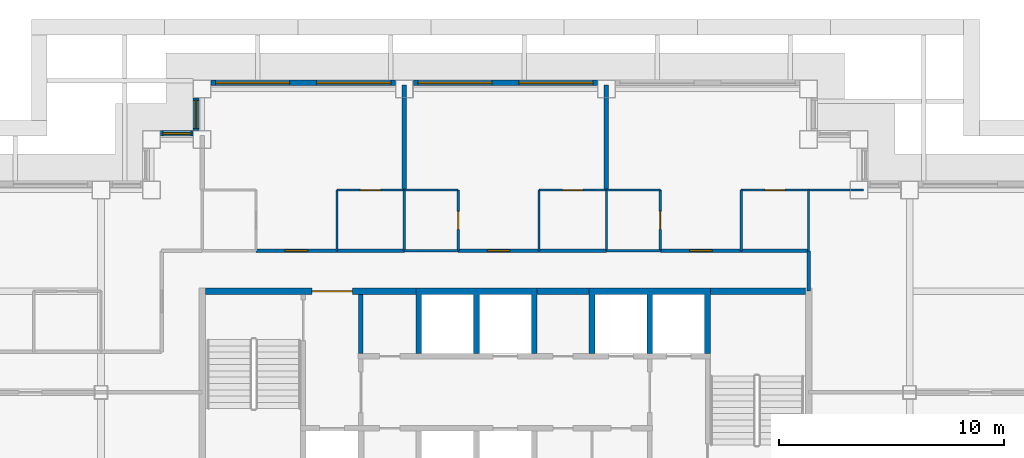
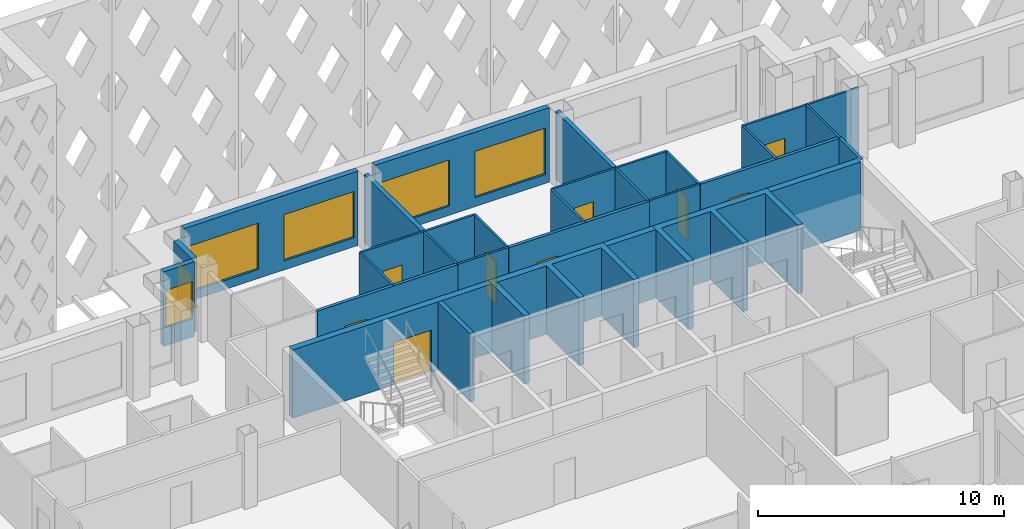
# One storey, part 8 of 19: 31 walls, 9 doors, 6 windows, 15 openings.
"""IFC4 building model written with IfcOpenShell, lengths in metres."""

from ifc_helpers import new_model, si_unit, direction, frame, frame_2d, origin, place, context, subcontext, project, spatial, polyline, rectangle, outline, extrude, material, layer, layer_set, type_object, element, fill, save


model = new_model("IFC4")

# Units and contexts
model_context = context("Model", 3, precision=1e-05, world=origin(), true_north=direction((0.0, 1.0)))
body_context = subcontext(model_context, "Body", "Model", "MODEL_VIEW")
ifc_project = project(units=[si_unit("LENGTHUNIT", "METRE"), si_unit("AREAUNIT", "SQUARE_METRE"), si_unit("VOLUMEUNIT", "CUBIC_METRE"), si_unit("PLANEANGLEUNIT", "RADIAN"), si_unit("MASSUNIT", "GRAM", prefix="KILO")], contexts=[model_context])

# Site, building, storey
site_placement = place(None, origin())
site = spatial("IfcSite", under=ifc_project, at=site_placement, CompositionType="ELEMENT")
building_placement = place(site_placement, origin())
building = spatial("IfcBuilding", under=site, at=building_placement, Name="Caravel Reach Hotel and Residences", CompositionType="ELEMENT")
storey_placement = place(building_placement, frame((0.0, 0.0, 150.60009765625)))
storey = spatial("IfcBuildingStorey", under=building, at=storey_placement, Name="L37", CompositionType="ELEMENT", Elevation=150.60009765625)

# Walls
ifc_material_1 = material(Name="Gypsum board on steel stud", Category="steel")
ifc_layer_1 = layer(ifc_material_1, 0.10009765625)
ifc_layer_set_1 = layer_set([ifc_layer_1], Name="Bathroom pod wall 100 mm")
wall_type_1 = type_object("IfcWallType", Name="Bathroom pod wall 100 mm", PredefinedType="PARTITIONING", material=ifc_layer_set_1)
for number, where, z_axis, x_axis, name in (
    (1, (27.0, 33.300048828125, 0.0), (0.0, 0.0, 1.0), (1.0, 0.0, 0.0), "L37 wall w090"),
    (2, (36.0, 33.300048828125, 0.0), (0.0, 0.0, 1.0), (1.0, 0.0, 0.0), "L37 wall w091"),
    (3, (27.0, 36.0, 0.0), (0.0, 0.0, 1.0), (1.0, 0.0, 0.0), "L37 wall w093"),
    (4, (36.0, 36.0, 0.0), (0.0, 0.0, 1.0), (1.0, 0.0, 0.0), "L37 wall w094"),
):
    element("IfcWall", number, at=place(storey_placement, frame(where, z_axis=z_axis, x_axis=x_axis)), inside=storey, type_object=wall_type_1, Name=name, PredefinedType="PARTITIONING", context=body_context, shape_type="SweptSolid", body=[
        extrude(rectangle(XDim=2.39990234375, YDim=0.10009765625, at=frame_2d((1.199951171875, 0.0))), origin(), (0.0, 0.0, 1.0), 3.39990234375),
    ])
wall_1_placement = place(storey_placement, frame((27.0, 33.300048828125, 0.0), z_axis=(0.0, 0.0, 1.0), x_axis=(0.0, 1.0, 0.0)))
element("IfcWall", 5, at=wall_1_placement, inside=storey, type_object=wall_type_1, Name="L37 wall w100", PredefinedType="PARTITIONING", context=body_context, shape_type="SweptSolid", body=[
    extrude(rectangle(XDim=2.699951171875, YDim=0.10009765625, at=frame_2d((1.35009765625, 0.0))), origin(), (0.0, 0.0, 1.0), 3.39990234375),
])

# Wall, opening, door
wall_2_placement = place(storey_placement, frame((29.39990234375, 33.300048828125, 0.0), z_axis=(0.0, 0.0, 1.0), x_axis=(0.0, 1.0, 0.0)))
wall_2 = element("IfcWall", 6, at=wall_2_placement, inside=storey, type_object=wall_type_1, Name="L37 wall w102", PredefinedType="PARTITIONING", context=body_context, shape_type="SweptSolid", body=[
    extrude(rectangle(XDim=2.699951171875, YDim=0.10009765625, at=frame_2d((1.35009765625, 0.0))), origin(), (0.0, 0.0, 1.0), 3.39990234375),
])
opening_1_placement = place(wall_2_placement, frame((0.949951171875, 0.0, 0.0)))
opening_1 = element("IfcOpeningElement", 7, at=opening_1_placement, cuts=wall_2, Name="Opening D37-021", PredefinedType="OPENING", context=body_context, shape_type="SweptSolid", body=[
    extrude(rectangle(XDim=0.800048828125, YDim=2.10009765625, at=frame_2d((0.39990234375, 1.050048828125))), frame((0.0, 0.06005859375, 0.0), z_axis=(0.0, -1.0, 0.0), x_axis=(1.0, 0.0, 0.0)), (0.0, 0.0, 1.0), 0.1201171875),
])
ifc_material_2 = material(Name="Timber and steel door leaf", Category="steel")
door_type_1 = type_object("IfcDoorType", Name="Bathroom door 800 x 2100", OperationType="SINGLE_SWING_LEFT", PredefinedType="DOOR", material=ifc_material_2)
door_1_placement = place(opening_1_placement, origin())
door_1 = element("IfcDoor", 8, at=door_1_placement, inside=storey, type_object=door_type_1, Name="door D37-021", OperationType="SINGLE_SWING_RIGHT", OverallHeight=2.10009765625, OverallWidth=0.800048828125, PredefinedType="DOOR", context=body_context, shape_type="SweptSolid", body=[
    extrude(rectangle(XDim=0.800048828125, YDim=2.10009765625, at=frame_2d((0.39990234375, 1.050048828125))), frame((0.0, 0.02490234375, 0.0), z_axis=(0.0, -1.0, 0.0), x_axis=(1.0, 0.0, 0.0)), (0.0, 0.0, 1.0), 0.050048828125),
])
fill(opening_1, door_1)

# Wall
wall_3_placement = place(storey_placement, frame((36.0, 33.300048828125, 0.0), z_axis=(0.0, 0.0, 1.0), x_axis=(0.0, 1.0, 0.0)))
element("IfcWall", 9, at=wall_3_placement, inside=storey, type_object=wall_type_1, Name="L37 wall w105", PredefinedType="PARTITIONING", context=body_context, shape_type="SweptSolid", body=[
    extrude(rectangle(XDim=2.699951171875, YDim=0.10009765625, at=frame_2d((1.35009765625, 0.0))), origin(), (0.0, 0.0, 1.0), 3.39990234375),
])

# Wall, opening, door
wall_4_placement = place(storey_placement, frame((38.39990234375, 33.300048828125, 0.0), z_axis=(0.0, 0.0, 1.0), x_axis=(0.0, 1.0, 0.0)))
wall_4 = element("IfcWall", 10, at=wall_4_placement, inside=storey, type_object=wall_type_1, Name="L37 wall w108", PredefinedType="PARTITIONING", context=body_context, shape_type="SweptSolid", body=[
    extrude(rectangle(XDim=2.699951171875, YDim=0.10009765625, at=frame_2d((1.35009765625, 0.0))), origin(), (0.0, 0.0, 1.0), 3.39990234375),
])
opening_2_placement = place(wall_4_placement, frame((0.949951171875, 0.0, 0.0)))
opening_2 = element("IfcOpeningElement", 11, at=opening_2_placement, cuts=wall_4, Name="Opening D37-024", PredefinedType="OPENING", context=body_context, shape_type="SweptSolid", body=[
    extrude(rectangle(XDim=0.800048828125, YDim=2.10009765625, at=frame_2d((0.39990234375, 1.050048828125))), frame((0.0, 0.06005859375, 0.0), z_axis=(0.0, -1.0, 0.0), x_axis=(1.0, 0.0, 0.0)), (0.0, 0.0, 1.0), 0.1201171875),
])
door_2_placement = place(opening_2_placement, origin())
door_2 = element("IfcDoor", 12, at=door_2_placement, inside=storey, type_object=door_type_1, Name="door D37-024", OperationType="SINGLE_SWING_RIGHT", OverallHeight=2.10009765625, OverallWidth=0.800048828125, PredefinedType="DOOR", context=body_context, shape_type="SweptSolid", body=[
    extrude(rectangle(XDim=0.800048828125, YDim=2.10009765625, at=frame_2d((0.39990234375, 1.050048828125))), frame((0.0, 0.02490234375, 0.0), z_axis=(0.0, -1.0, 0.0), x_axis=(1.0, 0.0, 0.0)), (0.0, 0.0, 1.0), 0.050048828125),
])
fill(opening_2, door_2)

# Wall
ifc_material_3 = material(Name="Autoclaved aerated block wall")
ifc_layer_2 = layer(ifc_material_3, 0.199951171875)
ifc_layer_set_2 = layer_set([ifc_layer_2], Name="Compartment wall 200 mm EI 120")
wall_type_2 = type_object("IfcWallType", Name="Compartment wall 200 mm EI 120", PredefinedType="PARTITIONING", material=ifc_layer_set_2)
wall_5_placement = place(storey_placement, frame((25.071533203125, 28.72509765625, 0.0), z_axis=(0.0, 0.0, 1.0), x_axis=(0.0, 1.0, 0.0)))
element("IfcWall", 13, at=wall_5_placement, inside=storey, type_object=wall_type_2, Name="L37 store partition", PredefinedType="PARTITIONING", context=body_context, shape_type="SweptSolid", body=[
    extrude(rectangle(XDim=2.625, YDim=0.199951171875, at=frame_2d((1.3125, 0.0))), origin(), (0.0, 0.0, 1.0), 3.39990234375),
])

# Wall, opening, door
ifc_material_4 = material(Name="Concrete C60", Category="concrete")
ifc_layer_3 = layer(ifc_material_4, 0.300048828125)
ifc_layer_set_3 = layer_set([ifc_layer_3], Name="Core wall 300 mm EI 120")
wall_type_3 = type_object("IfcWallType", Name="Core wall 300 mm EI 120", PredefinedType="SHEAR", material=ifc_layer_set_3)
wall_6_placement = place(storey_placement, frame((18.14990234375, 31.5, 0.0), z_axis=(0.0, 0.0, 1.0), x_axis=(1.0, 0.0, 0.0)))
wall_6 = element("IfcWall", 14, at=wall_6_placement, inside=storey, type_object=wall_type_3, Name="L37 core wall N1", PredefinedType="SHEAR", context=body_context, shape_type="SweptSolid", body=[
    extrude(rectangle(XDim=9.367919921875, YDim=0.300048828125, at=frame_2d((4.68408203125, 0.0))), origin(), (0.0, 0.0, 1.0), 3.39990234375),
])
opening_3_placement = place(wall_6_placement, frame((4.735595703125, 0.0, 0.0)))
opening_3 = element("IfcOpeningElement", 15, at=opening_3_placement, cuts=wall_6, Name="Opening D37-015", PredefinedType="OPENING", context=body_context, shape_type="SweptSolid", body=[
    extrude(rectangle(XDim=1.800048828125, YDim=2.10009765625, at=frame_2d((0.89990234375, 1.050048828125))), frame((0.0, 0.159912109375, 0.0), z_axis=(0.0, -1.0, 0.0), x_axis=(1.0, 0.0, 0.0)), (0.0, 0.0, 1.0), 0.320068359375),
])
ifc_material_5 = material(Name="Steel fire door leaf", Category="steel")
door_type_2 = type_object("IfcDoorType", Name="Fire lobby door pair 1800 x 2100 EI 90", OperationType="DOUBLE_DOOR_SINGLE_SWING", PredefinedType="DOOR", material=ifc_material_5)
door_3_placement = place(opening_3_placement, origin())
door_3 = element("IfcDoor", 16, at=door_3_placement, inside=storey, type_object=door_type_2, Name="lobby N door pair to corridor", OperationType="DOUBLE_DOOR_SINGLE_SWING", OverallHeight=2.10009765625, OverallWidth=1.800048828125, PredefinedType="DOOR", context=body_context, shape_type="SweptSolid", body=[
    extrude(rectangle(XDim=1.800048828125, YDim=2.10009765625, at=frame_2d((0.89990234375, 1.050048828125))), frame((0.0, 0.02490234375, 0.0), z_axis=(0.0, -1.0, 0.0), x_axis=(1.0, 0.0, 0.0)), (0.0, 0.0, 1.0), 0.050048828125),
])
fill(opening_3, door_3)

# Walls
wall_7_placement = place(storey_placement, frame((32.91064453125, 31.5, 0.0), z_axis=(0.0, 0.0, 1.0), x_axis=(1.0, 0.0, 0.0)))
element("IfcWall", 17, at=wall_7_placement, inside=storey, type_object=wall_type_3, Name="L37 core wall N2", PredefinedType="SHEAR", context=body_context, shape_type="SweptSolid", body=[
    extrude(rectangle(XDim=2.321533203125, YDim=0.300048828125, at=frame_2d((1.16064453125, 0.0))), origin(), (0.0, 0.0, 1.0), 3.39990234375),
])
wall_8_placement = place(storey_placement, frame((40.625, 31.5, 0.0), z_axis=(0.0, 0.0, 1.0), x_axis=(1.0, 0.0, 0.0)))
element("IfcWall", 18, at=wall_8_placement, inside=storey, type_object=wall_type_3, Name="L37 core wall N3", PredefinedType="SHEAR", context=body_context, shape_type="SweptSolid", body=[
    extrude(rectangle(XDim=4.22509765625, YDim=0.300048828125, at=frame_2d((2.112548828125, 0.0))), origin(), (0.0, 0.0, 1.0), 3.39990234375),
])

# Wall, opening, door
ifc_material_6 = material(Name="Gypsum board on steel stud, fire-rated", Category="steel")
ifc_layer_4 = layer(ifc_material_6, 0.14990234375)
ifc_layer_set_4 = layer_set([ifc_layer_4], Name="Corridor wall 150 mm EI 60")
wall_type_4 = type_object("IfcWallType", Name="Corridor wall 150 mm EI 60", PredefinedType="PARTITIONING", material=ifc_layer_set_4)
wall_9_placement = place(storey_placement, frame((20.39990234375, 33.300048828125, 0.0), z_axis=(0.0, 0.0, 1.0), x_axis=(1.0, 0.0, 0.0)))
wall_9 = element("IfcWall", 19, at=wall_9_placement, inside=storey, type_object=wall_type_4, Name="L37 wall w014", PredefinedType="PARTITIONING", context=body_context, shape_type="SweptSolid", body=[
    extrude(rectangle(XDim=6.60009765625, YDim=0.14990234375, at=frame_2d((3.300048828125, 0.0))), origin(), (0.0, 0.0, 1.0), 3.39990234375),
])
opening_4_placement = place(wall_9_placement, frame((1.300048828125, 0.0, 0.0)))
opening_4 = element("IfcOpeningElement", 20, at=opening_4_placement, cuts=wall_9, Name="Opening D37-017", PredefinedType="OPENING", context=body_context, shape_type="SweptSolid", body=[
    extrude(rectangle(XDim=1.0, YDim=2.199951171875, at=frame_2d((0.5, 1.10009765625))), frame((0.0, 0.0849609375, 0.0), z_axis=(0.0, -1.0, 0.0), x_axis=(1.0, 0.0, 0.0)), (0.0, 0.0, 1.0), 0.169921875),
])
ifc_material_7 = material(Name="Steel fire door leaf", Category="steel")
door_type_3 = type_object("IfcDoorType", Name="Flat entrance door 1000 x 2200 EI 60", OperationType="SINGLE_SWING_LEFT", PredefinedType="DOOR", material=ifc_material_7)
door_4_placement = place(opening_4_placement, origin())
door_4 = element("IfcDoor", 21, at=door_4_placement, inside=storey, type_object=door_type_3, Name="door D37-017", OperationType="SINGLE_SWING_LEFT", OverallHeight=2.199951171875, OverallWidth=1.0, PredefinedType="DOOR", context=body_context, shape_type="SweptSolid", body=[
    extrude(rectangle(XDim=1.0, YDim=2.199951171875, at=frame_2d((0.5, 1.10009765625))), frame((0.0, 0.02490234375, 0.0), z_axis=(0.0, -1.0, 0.0), x_axis=(1.0, 0.0, 0.0)), (0.0, 0.0, 1.0), 0.050048828125),
])
fill(opening_4, door_4)

wall_10_placement = place(storey_placement, frame((29.39990234375, 33.300048828125, 0.0), z_axis=(0.0, 0.0, 1.0), x_axis=(1.0, 0.0, 0.0)))
wall_10 = element("IfcWall", 22, at=wall_10_placement, inside=storey, type_object=wall_type_4, Name="L37 wall w016", PredefinedType="PARTITIONING", context=body_context, shape_type="SweptSolid", body=[
    extrude(rectangle(XDim=6.60009765625, YDim=0.14990234375, at=frame_2d((3.300048828125, 0.0))), origin(), (0.0, 0.0, 1.0), 3.39990234375),
])
opening_5_placement = place(wall_10_placement, frame((1.300048828125, 0.0, 0.0)))
opening_5 = element("IfcOpeningElement", 23, at=opening_5_placement, cuts=wall_10, Name="Opening D37-020", PredefinedType="OPENING", context=body_context, shape_type="SweptSolid", body=[
    extrude(rectangle(XDim=1.0, YDim=2.199951171875, at=frame_2d((0.5, 1.10009765625))), frame((0.0, 0.0849609375, 0.0), z_axis=(0.0, -1.0, 0.0), x_axis=(1.0, 0.0, 0.0)), (0.0, 0.0, 1.0), 0.169921875),
])
door_5_placement = place(opening_5_placement, origin())
door_5 = element("IfcDoor", 24, at=door_5_placement, inside=storey, type_object=door_type_3, Name="door D37-020", OperationType="SINGLE_SWING_LEFT", OverallHeight=2.199951171875, OverallWidth=1.0, PredefinedType="DOOR", context=body_context, shape_type="SweptSolid", body=[
    extrude(rectangle(XDim=1.0, YDim=2.199951171875, at=frame_2d((0.5, 1.10009765625))), frame((0.0, 0.02490234375, 0.0), z_axis=(0.0, -1.0, 0.0), x_axis=(1.0, 0.0, 0.0)), (0.0, 0.0, 1.0), 0.050048828125),
])
fill(opening_5, door_5)

wall_11_placement = place(storey_placement, frame((38.39990234375, 33.300048828125, 0.0), z_axis=(0.0, 0.0, 1.0), x_axis=(1.0, 0.0, 0.0)))
wall_11 = element("IfcWall", 25, at=wall_11_placement, inside=storey, type_object=wall_type_4, Name="L37 wall w018", PredefinedType="PARTITIONING", context=body_context, shape_type="SweptSolid", body=[
    extrude(rectangle(XDim=6.60009765625, YDim=0.14990234375, at=frame_2d((3.300048828125, 0.0))), origin(), (0.0, 0.0, 1.0), 3.39990234375),
])
opening_6_placement = place(wall_11_placement, frame((1.300048828125, 0.0, 0.0)))
opening_6 = element("IfcOpeningElement", 26, at=opening_6_placement, cuts=wall_11, Name="Opening D37-023", PredefinedType="OPENING", context=body_context, shape_type="SweptSolid", body=[
    extrude(rectangle(XDim=1.0, YDim=2.199951171875, at=frame_2d((0.5, 1.10009765625))), frame((0.0, 0.0849609375, 0.0), z_axis=(0.0, -1.0, 0.0), x_axis=(1.0, 0.0, 0.0)), (0.0, 0.0, 1.0), 0.169921875),
])
door_6_placement = place(opening_6_placement, origin())
door_6 = element("IfcDoor", 27, at=door_6_placement, inside=storey, type_object=door_type_3, Name="door D37-023", OperationType="SINGLE_SWING_LEFT", OverallHeight=2.199951171875, OverallWidth=1.0, PredefinedType="DOOR", context=body_context, shape_type="SweptSolid", body=[
    extrude(rectangle(XDim=1.0, YDim=2.199951171875, at=frame_2d((0.5, 1.10009765625))), frame((0.0, 0.02490234375, 0.0), z_axis=(0.0, -1.0, 0.0), x_axis=(1.0, 0.0, 0.0)), (0.0, 0.0, 1.0), 0.050048828125),
])
fill(opening_6, door_6)

# Wall
wall_12_placement = place(storey_placement, frame((45.0, 31.5, 0.0), z_axis=(0.0, 0.0, 1.0), x_axis=(0.0, 1.0, 0.0)))
element("IfcWall", 28, at=wall_12_placement, inside=storey, type_object=wall_type_4, Name="L37 wall w031", PredefinedType="PARTITIONING", context=body_context, shape_type="SweptSolid", body=[
    extrude(rectangle(XDim=1.800048828125, YDim=0.14990234375, at=frame_2d((0.89990234375, 0.0))), origin(), (0.0, 0.0, 1.0), 3.39990234375),
])

# Wall, openings, windows
ifc_material_8 = material(Name="Insulated rainscreen wall, aluminium cladding", Category="aluminium")
ifc_layer_5 = layer(ifc_material_8, 0.25)
ifc_layer_set_5 = layer_set([ifc_layer_5], Name="EW1 Tower rainscreen wall")
wall_type_5 = type_object("IfcWallType", Name="EW1 Tower rainscreen wall", PredefinedType="SOLIDWALL", material=ifc_layer_set_5)
wall_13_placement = place(storey_placement, frame((35.60009765625, 40.77490234375, 0.0), z_axis=(0.0, 0.0, 1.0), x_axis=(-1.0, 0.0, 0.0)))
wall_13 = element("IfcWall", 29, at=wall_13_placement, inside=storey, type_object=wall_type_5, Name="External wall L37 N29.2", PredefinedType="SOLIDWALL", context=body_context, shape_type="SweptSolid", body=[
    extrude(rectangle(XDim=8.2001953125, YDim=0.25, at=frame_2d((4.10009765625, 0.0))), origin(), (0.0, 0.0, 1.0), 3.699951171875),
])
opening_7_placement = place(wall_13_placement, frame((0.199951171875, 0.0, 0.449951171875)))
opening_7 = element("IfcOpeningElement", 30, at=opening_7_placement, cuts=wall_13, Name="Opening WN15", PredefinedType="OPENING", context=body_context, shape_type="SweptSolid", body=[
    extrude(rectangle(XDim=3.300048828125, YDim=2.300048828125, at=frame_2d((1.64990234375, 1.14990234375))), frame((0.0, 0.135009765625, 0.0), z_axis=(0.0, -1.0, 0.0), x_axis=(1.0, 0.0, 0.0)), (0.0, 0.0, 1.0), 0.27001953125),
])
opening_8_placement = place(wall_13_placement, frame((4.699951171875, 0.0, 0.449951171875)))
opening_8 = element("IfcOpeningElement", 31, at=opening_8_placement, cuts=wall_13, Name="Opening WN15", PredefinedType="OPENING", context=body_context, shape_type="SweptSolid", body=[
    extrude(rectangle(XDim=3.300048828125, YDim=2.300048828125, at=frame_2d((1.64990234375, 1.14990234375))), frame((0.0, 0.135009765625, 0.0), z_axis=(0.0, -1.0, 0.0), x_axis=(1.0, 0.0, 0.0)), (0.0, 0.0, 1.0), 0.27001953125),
])
ifc_material_9 = material(Name="Dark low-e glazing in black aluminium frame", Category="aluminium")
window_type_1 = type_object("IfcWindowType", Name="Residence living window 3300 x 2300", PartitioningType="SINGLE_PANEL", PredefinedType="WINDOW", material=ifc_material_9)
window_1_placement = place(opening_7_placement, origin())
window_1 = element("IfcWindow", 32, at=window_1_placement, inside=storey, type_object=window_type_1, Name="Window L37 N29.2.1", OverallHeight=2.300048828125, OverallWidth=3.300048828125, PartitioningType="SINGLE_PANEL", PredefinedType="WINDOW", context=body_context, shape_type="SweptSolid", body=[
    extrude(rectangle(XDim=3.300048828125, YDim=2.300048828125, at=frame_2d((1.64990234375, 1.14990234375))), frame((0.0, 0.030029296875, 0.0), z_axis=(0.0, -1.0, 0.0), x_axis=(1.0, 0.0, 0.0)), (0.0, 0.0, 1.0), 0.06005859375),
])
fill(opening_7, window_1)
window_2_placement = place(opening_8_placement, origin())
window_2 = element("IfcWindow", 33, at=window_2_placement, inside=storey, type_object=window_type_1, Name="Window L37 N29.2.2", OverallHeight=2.300048828125, OverallWidth=3.300048828125, PartitioningType="SINGLE_PANEL", PredefinedType="WINDOW", context=body_context, shape_type="SweptSolid", body=[
    extrude(rectangle(XDim=3.300048828125, YDim=2.300048828125, at=frame_2d((1.64990234375, 1.14990234375))), frame((0.0, 0.030029296875, 0.0), z_axis=(0.0, -1.0, 0.0), x_axis=(1.0, 0.0, 0.0)), (0.0, 0.0, 1.0), 0.06005859375),
])
fill(opening_8, window_2)

wall_14_placement = place(storey_placement, frame((26.60009765625, 40.77490234375, 0.0), z_axis=(0.0, 0.0, 1.0), x_axis=(-1.0, 0.0, 0.0)))
wall_14 = element("IfcWall", 34, at=wall_14_placement, inside=storey, type_object=wall_type_5, Name="External wall L37 N29.3", PredefinedType="SOLIDWALL", context=body_context, shape_type="SweptSolid", body=[
    extrude(rectangle(XDim=8.2001953125, YDim=0.25, at=frame_2d((4.10009765625, 0.0))), origin(), (0.0, 0.0, 1.0), 3.699951171875),
])
opening_9_placement = place(wall_14_placement, frame((0.199951171875, 0.0, 0.449951171875)))
opening_9 = element("IfcOpeningElement", 35, at=opening_9_placement, cuts=wall_14, Name="Opening WN15", PredefinedType="OPENING", context=body_context, shape_type="SweptSolid", body=[
    extrude(rectangle(XDim=3.300048828125, YDim=2.300048828125, at=frame_2d((1.64990234375, 1.14990234375))), frame((0.0, 0.135009765625, 0.0), z_axis=(0.0, -1.0, 0.0), x_axis=(1.0, 0.0, 0.0)), (0.0, 0.0, 1.0), 0.27001953125),
])
opening_10_placement = place(wall_14_placement, frame((4.699951171875, 0.0, 0.449951171875)))
opening_10 = element("IfcOpeningElement", 36, at=opening_10_placement, cuts=wall_14, Name="Opening WN15", PredefinedType="OPENING", context=body_context, shape_type="SweptSolid", body=[
    extrude(rectangle(XDim=3.300048828125, YDim=2.300048828125, at=frame_2d((1.64990234375, 1.14990234375))), frame((0.0, 0.135009765625, 0.0), z_axis=(0.0, -1.0, 0.0), x_axis=(1.0, 0.0, 0.0)), (0.0, 0.0, 1.0), 0.27001953125),
])
window_3_placement = place(opening_9_placement, origin())
window_3 = element("IfcWindow", 37, at=window_3_placement, inside=storey, type_object=window_type_1, Name="Window L37 N29.3.1", OverallHeight=2.300048828125, OverallWidth=3.300048828125, PartitioningType="SINGLE_PANEL", PredefinedType="WINDOW", context=body_context, shape_type="SweptSolid", body=[
    extrude(rectangle(XDim=3.300048828125, YDim=2.300048828125, at=frame_2d((1.64990234375, 1.14990234375))), frame((0.0, 0.030029296875, 0.0), z_axis=(0.0, -1.0, 0.0), x_axis=(1.0, 0.0, 0.0)), (0.0, 0.0, 1.0), 0.06005859375),
])
fill(opening_9, window_3)
window_4_placement = place(opening_10_placement, origin())
window_4 = element("IfcWindow", 38, at=window_4_placement, inside=storey, type_object=window_type_1, Name="Window L37 N29.3.2", OverallHeight=2.300048828125, OverallWidth=3.300048828125, PartitioningType="SINGLE_PANEL", PredefinedType="WINDOW", context=body_context, shape_type="SweptSolid", body=[
    extrude(rectangle(XDim=3.300048828125, YDim=2.300048828125, at=frame_2d((1.64990234375, 1.14990234375))), frame((0.0, 0.030029296875, 0.0), z_axis=(0.0, -1.0, 0.0), x_axis=(1.0, 0.0, 0.0)), (0.0, 0.0, 1.0), 0.06005859375),
])
fill(opening_10, window_4)

# Wall, opening, window
wall_15_placement = place(storey_placement, frame((17.72509765625, 40.10009765625, 0.0), z_axis=(0.0, 0.0, 1.0), x_axis=(0.0, -1.0, 0.0)))
wall_15 = element("IfcWall", 39, at=wall_15_placement, inside=storey, type_object=wall_type_5, Name="External wall L37 W30.1", PredefinedType="SOLIDWALL", context=body_context, shape_type="SweptSolid", body=[
    extrude(rectangle(XDim=1.4501953125, YDim=0.25, at=frame_2d((0.72509765625, 0.0))), origin(), (0.0, 0.0, 1.0), 3.699951171875),
])
opening_11_placement = place(wall_15_placement, frame((0.10009765625, 0.0, 0.89990234375)))
opening_11 = element("IfcOpeningElement", 40, at=opening_11_placement, cuts=wall_15, Name="Opening WN13", PredefinedType="OPENING", context=body_context, shape_type="SweptSolid", body=[
    extrude(rectangle(XDim=1.25, YDim=1.85009765625, at=frame_2d((0.625, 0.925048828125))), frame((0.0, 0.135009765625, 0.0), z_axis=(0.0, -1.0, 0.0), x_axis=(1.0, 0.0, 0.0)), (0.0, 0.0, 1.0), 0.27001953125),
])
ifc_material_10 = material(Name="Dark low-e glazing in black aluminium frame", Category="aluminium")
window_type_2 = type_object("IfcWindowType", Name="Residence bedroom window 1250 x 1850", PartitioningType="SINGLE_PANEL", PredefinedType="WINDOW", material=ifc_material_10)
window_5_placement = place(opening_11_placement, origin())
window_5 = element("IfcWindow", 41, at=window_5_placement, inside=storey, type_object=window_type_2, Name="Window L37 W30.1.1", OverallHeight=1.85009765625, OverallWidth=1.25, PartitioningType="SINGLE_PANEL", PredefinedType="WINDOW", context=body_context, shape_type="SweptSolid", body=[
    extrude(rectangle(XDim=1.25, YDim=1.85009765625, at=frame_2d((0.625, 0.925048828125))), frame((0.0, 0.030029296875, 0.0), z_axis=(0.0, -1.0, 0.0), x_axis=(1.0, 0.0, 0.0)), (0.0, 0.0, 1.0), 0.06005859375),
])
fill(opening_11, window_5)

wall_16_placement = place(storey_placement, frame((17.60009765625, 38.52490234375, 0.0), z_axis=(0.0, 0.0, 1.0), x_axis=(-1.0, 0.0, 0.0)))
wall_16 = element("IfcWall", 42, at=wall_16_placement, inside=storey, type_object=wall_type_5, Name="External wall L37 N31.1", PredefinedType="SOLIDWALL", context=body_context, shape_type="SweptSolid", body=[
    extrude(rectangle(XDim=1.4501953125, YDim=0.25, at=frame_2d((0.72509765625, 0.0))), origin(), (0.0, 0.0, 1.0), 3.699951171875),
])
opening_12_placement = place(wall_16_placement, frame((0.10009765625, 0.0, 0.89990234375)))
opening_12 = element("IfcOpeningElement", 43, at=opening_12_placement, cuts=wall_16, Name="Opening WN13", PredefinedType="OPENING", context=body_context, shape_type="SweptSolid", body=[
    extrude(rectangle(XDim=1.25, YDim=1.85009765625, at=frame_2d((0.625, 0.925048828125))), frame((0.0, 0.135009765625, 0.0), z_axis=(0.0, -1.0, 0.0), x_axis=(1.0, 0.0, 0.0)), (0.0, 0.0, 1.0), 0.27001953125),
])
window_6_placement = place(opening_12_placement, origin())
window_6 = element("IfcWindow", 44, at=window_6_placement, inside=storey, type_object=window_type_2, Name="Window L37 N31.1.1", OverallHeight=1.85009765625, OverallWidth=1.25, PartitioningType="SINGLE_PANEL", PredefinedType="WINDOW", context=body_context, shape_type="SweptSolid", body=[
    extrude(rectangle(XDim=1.25, YDim=1.85009765625, at=frame_2d((0.625, 0.925048828125))), frame((0.0, 0.030029296875, 0.0), z_axis=(0.0, -1.0, 0.0), x_axis=(1.0, 0.0, 0.0)), (0.0, 0.0, 1.0), 0.06005859375),
])
fill(opening_12, window_6)

# Wall, opening, door
ifc_material_11 = material(Name="Gypsum board on steel stud", Category="steel")
ifc_layer_6 = layer(ifc_material_11, 0.10009765625)
ifc_layer_set_6 = layer_set([ifc_layer_6], Name="Partition 100 mm")
wall_type_6 = type_object("IfcWallType", Name="Partition 100 mm", PredefinedType="PARTITIONING", material=ifc_layer_set_6)
wall_17_placement = place(storey_placement, frame((24.0, 36.0, 0.0), z_axis=(0.0, 0.0, 1.0), x_axis=(1.0, 0.0, 0.0)))
wall_17 = element("IfcWall", 45, at=wall_17_placement, inside=storey, type_object=wall_type_6, Name="L37 wall w044", PredefinedType="PARTITIONING", context=body_context, shape_type="SweptSolid", body=[
    extrude(rectangle(XDim=3.0, YDim=0.10009765625, at=frame_2d((1.5, 0.0))), origin(), (0.0, 0.0, 1.0), 3.39990234375),
])
opening_13_placement = place(wall_17_placement, frame((1.050048828125, 0.0, 0.0)))
opening_13 = element("IfcOpeningElement", 46, at=opening_13_placement, cuts=wall_17, Name="Opening D37-019", PredefinedType="OPENING", context=body_context, shape_type="SweptSolid", body=[
    extrude(rectangle(XDim=0.89990234375, YDim=2.10009765625, at=frame_2d((0.449951171875, 1.050048828125))), frame((0.0, 0.06005859375, 0.0), z_axis=(0.0, -1.0, 0.0), x_axis=(1.0, 0.0, 0.0)), (0.0, 0.0, 1.0), 0.1201171875),
])
ifc_material_12 = material(Name="Timber and steel door leaf", Category="steel")
door_type_4 = type_object("IfcDoorType", Name="Door 900 x 2100 timber", OperationType="SINGLE_SWING_LEFT", PredefinedType="DOOR", material=ifc_material_12)
door_7_placement = place(opening_13_placement, origin())
door_7 = element("IfcDoor", 47, at=door_7_placement, inside=storey, type_object=door_type_4, Name="door D37-019", OperationType="SINGLE_SWING_LEFT", OverallHeight=2.10009765625, OverallWidth=0.89990234375, PredefinedType="DOOR", context=body_context, shape_type="SweptSolid", body=[
    extrude(rectangle(XDim=0.89990234375, YDim=2.10009765625, at=frame_2d((0.449951171875, 1.050048828125))), frame((0.0, 0.02490234375, 0.0), z_axis=(0.0, -1.0, 0.0), x_axis=(1.0, 0.0, 0.0)), (0.0, 0.0, 1.0), 0.050048828125),
])
fill(opening_13, door_7)

wall_18_placement = place(storey_placement, frame((33.0, 36.0, 0.0), z_axis=(0.0, 0.0, 1.0), x_axis=(1.0, 0.0, 0.0)))
wall_18 = element("IfcWall", 48, at=wall_18_placement, inside=storey, type_object=wall_type_6, Name="L37 wall w045", PredefinedType="PARTITIONING", context=body_context, shape_type="SweptSolid", body=[
    extrude(rectangle(XDim=3.0, YDim=0.10009765625, at=frame_2d((1.5, 0.0))), origin(), (0.0, 0.0, 1.0), 3.39990234375),
])
opening_14_placement = place(wall_18_placement, frame((1.050048828125, 0.0, 0.0)))
opening_14 = element("IfcOpeningElement", 49, at=opening_14_placement, cuts=wall_18, Name="Opening D37-022", PredefinedType="OPENING", context=body_context, shape_type="SweptSolid", body=[
    extrude(rectangle(XDim=0.89990234375, YDim=2.10009765625, at=frame_2d((0.449951171875, 1.050048828125))), frame((0.0, 0.06005859375, 0.0), z_axis=(0.0, -1.0, 0.0), x_axis=(1.0, 0.0, 0.0)), (0.0, 0.0, 1.0), 0.1201171875),
])
door_8_placement = place(opening_14_placement, origin())
door_8 = element("IfcDoor", 50, at=door_8_placement, inside=storey, type_object=door_type_4, Name="door D37-022", OperationType="SINGLE_SWING_LEFT", OverallHeight=2.10009765625, OverallWidth=0.89990234375, PredefinedType="DOOR", context=body_context, shape_type="SweptSolid", body=[
    extrude(rectangle(XDim=0.89990234375, YDim=2.10009765625, at=frame_2d((0.449951171875, 1.050048828125))), frame((0.0, 0.02490234375, 0.0), z_axis=(0.0, -1.0, 0.0), x_axis=(1.0, 0.0, 0.0)), (0.0, 0.0, 1.0), 0.050048828125),
])
fill(opening_14, door_8)

wall_19_placement = place(storey_placement, frame((42.0, 36.0, 0.0), z_axis=(0.0, 0.0, 1.0), x_axis=(1.0, 0.0, 0.0)))
wall_19 = element("IfcWall", 51, at=wall_19_placement, inside=storey, type_object=wall_type_6, Name="L37 wall w047", PredefinedType="PARTITIONING", context=body_context, shape_type="SweptSolid", body=[
    extrude(rectangle(XDim=5.43994140625, YDim=0.10009765625, at=frame_2d((2.719970703125, 0.0))), origin(), (0.0, 0.0, 1.0), 3.39990234375),
])
opening_15_placement = place(wall_19_placement, frame((1.050048828125, 0.0, 0.0)))
opening_15 = element("IfcOpeningElement", 52, at=opening_15_placement, cuts=wall_19, Name="Opening D37-025", PredefinedType="OPENING", context=body_context, shape_type="SweptSolid", body=[
    extrude(rectangle(XDim=0.89990234375, YDim=2.10009765625, at=frame_2d((0.449951171875, 1.050048828125))), frame((0.0, 0.06005859375, 0.0), z_axis=(0.0, -1.0, 0.0), x_axis=(1.0, 0.0, 0.0)), (0.0, 0.0, 1.0), 0.1201171875),
])
door_9_placement = place(opening_15_placement, origin())
door_9 = element("IfcDoor", 53, at=door_9_placement, inside=storey, type_object=door_type_4, Name="door D37-025", OperationType="SINGLE_SWING_LEFT", OverallHeight=2.10009765625, OverallWidth=0.89990234375, PredefinedType="DOOR", context=body_context, shape_type="SweptSolid", body=[
    extrude(rectangle(XDim=0.89990234375, YDim=2.10009765625, at=frame_2d((0.449951171875, 1.050048828125))), frame((0.0, 0.02490234375, 0.0), z_axis=(0.0, -1.0, 0.0), x_axis=(1.0, 0.0, 0.0)), (0.0, 0.0, 1.0), 0.050048828125),
])
fill(opening_15, door_9)

# Walls
for number, where, z_axis, x_axis, name in (
    (54, (24.0, 33.300048828125, 0.0), (0.0, 0.0, 1.0), (0.0, 1.0, 0.0), "L37 wall w058"),
    (55, (33.0, 33.300048828125, 0.0), (0.0, 0.0, 1.0), (0.0, 1.0, 0.0), "L37 wall w061"),
    (56, (42.0, 33.300048828125, 0.0), (0.0, 0.0, 1.0), (0.0, 1.0, 0.0), "L37 wall w064"),
    (57, (45.0, 33.300048828125, 0.0), (0.0, 0.0, 1.0), (0.0, 1.0, 0.0), "L37 wall w066"),
):
    element("IfcWall", number, at=place(storey_placement, frame(where, z_axis=z_axis, x_axis=x_axis)), inside=storey, type_object=wall_type_6, Name=name, PredefinedType="PARTITIONING", context=body_context, shape_type="SweptSolid", body=[
        extrude(rectangle(XDim=2.699951171875, YDim=0.10009765625, at=frame_2d((1.35009765625, 0.0))), origin(), (0.0, 0.0, 1.0), 3.39990234375),
    ])
ifc_material_13 = material(Name="Autoclaved aerated block wall")
ifc_layer_7 = layer(ifc_material_13, 0.199951171875)
ifc_layer_set_7 = layer_set([ifc_layer_7], Name="Party wall 200 mm EI 60")
wall_type_7 = type_object("IfcWallType", Name="Party wall 200 mm EI 60", PredefinedType="PARTITIONING", material=ifc_layer_set_7)
for number, where, z_axis, x_axis, name in (
    (58, (27.0, 36.0, 0.0), (0.0, 0.0, 1.0), (0.0, 1.0, 0.0), "L37 wall w075"),
    (59, (36.0, 36.0, 0.0), (0.0, 0.0, 1.0), (0.0, 1.0, 0.0), "L37 wall w076"),
):
    element("IfcWall", number, at=place(storey_placement, frame(where, z_axis=z_axis, x_axis=x_axis)), inside=storey, type_object=wall_type_7, Name=name, PredefinedType="PARTITIONING", context=body_context, shape_type="SweptSolid", body=[
        extrude(rectangle(XDim=4.68994140625, YDim=0.199951171875, at=frame_2d((2.344970703125, 0.0))), origin(), (0.0, 0.0, 1.0), 3.39990234375),
    ])
ifc_material_14 = material(Name="Concrete C60", Category="concrete")
ifc_layer_8 = layer(ifc_material_14, 0.25)
ifc_layer_set_8 = layer_set([ifc_layer_8], Name="Shaft wall 250 mm EI 120")
wall_type_8 = type_object("IfcWallType", Name="Shaft wall 250 mm EI 120", PredefinedType="SHEAR", material=ifc_layer_set_8)
wall_20_placement = place(storey_placement, origin())
element("IfcWall", 60, at=wall_20_placement, inside=storey, type_object=wall_type_8, Name="L37 lift shaft wall N1", PredefinedType="SHEAR", context=body_context, shape_type="SweptSolid", body=[
    extrude(outline(polyline([(27.517822265625, 28.72509765625), (27.767822265625, 28.72509765625), (27.767822265625, 31.35009765625), (30.08935546875, 31.35009765625), (30.08935546875, 28.72509765625), (30.33935546875, 28.72509765625), (30.33935546875, 31.35009765625), (32.66064453125, 31.35009765625), (32.66064453125, 28.72509765625), (32.91064453125, 28.72509765625), (32.91064453125, 31.64990234375), (27.517822265625, 31.64990234375), (27.517822265625, 28.72509765625)])), origin(), (0.0, 0.0, 1.0), 3.39990234375),
])
wall_21_placement = place(storey_placement, origin())
element("IfcWall", 61, at=wall_21_placement, inside=storey, type_object=wall_type_8, Name="L37 lift shaft wall N2", PredefinedType="SHEAR", context=body_context, shape_type="SweptSolid", body=[
    extrude(outline(polyline([(35.232177734375, 28.72509765625), (35.482177734375, 28.72509765625), (35.482177734375, 31.35009765625), (37.803466796875, 31.35009765625), (37.803466796875, 28.72509765625), (38.053466796875, 28.72509765625), (38.053466796875, 31.35009765625), (40.375, 31.35009765625), (40.375, 28.72509765625), (40.625, 28.72509765625), (40.625, 31.64990234375), (35.232177734375, 31.64990234375), (35.232177734375, 28.72509765625)])), origin(), (0.0, 0.0, 1.0), 3.39990234375),
])

save(model, "model.ifc")
